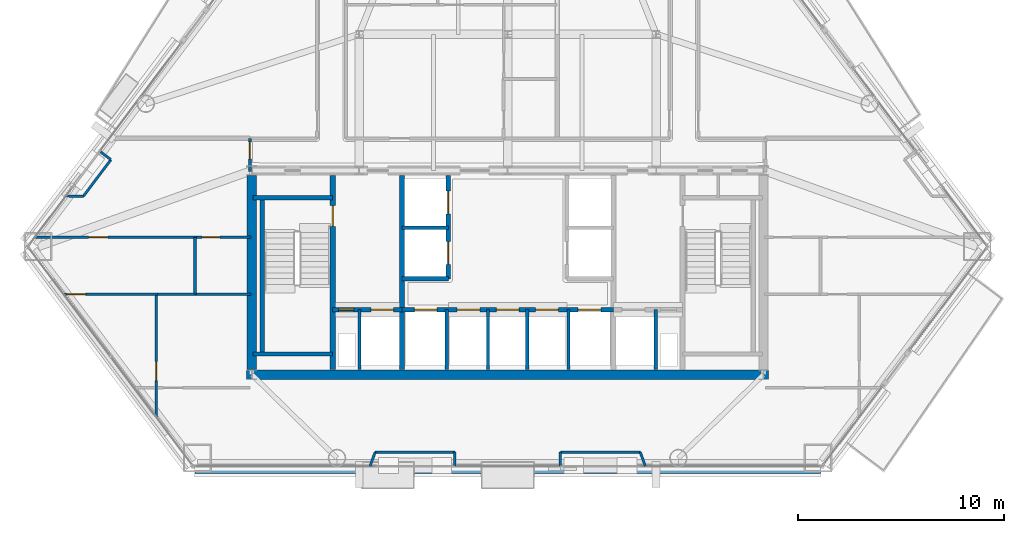
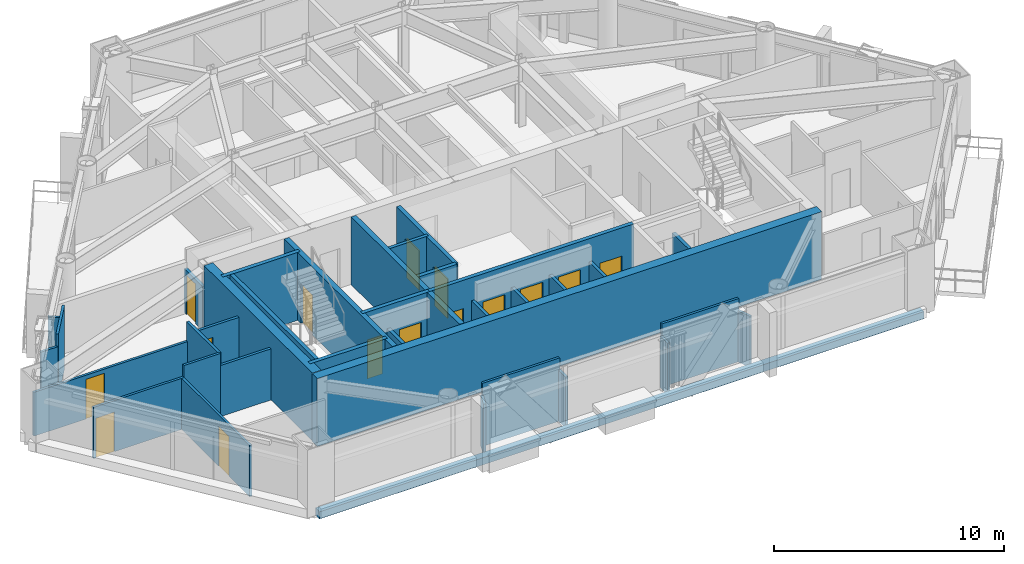
# One storey, part 6 of 11: 36 walls, 15 doors, 15 openings.
"""IFC4 building model written with IfcOpenShell, lengths in metres."""

from ifc_helpers import new_model, si_unit, direction, frame, frame_2d, origin, place, context, subcontext, project, spatial, rectangle, extrude, material, layer, layer_set, type_object, element, fill, save


model = new_model("IFC4")

# Units and contexts
model_context = context("Model", 3, precision=1e-05, world=origin(), true_north=direction((0.0, 1.0)))
body_context = subcontext(model_context, "Body", "Model", "MODEL_VIEW")
ifc_project = project(units=[si_unit("LENGTHUNIT", "METRE"), si_unit("AREAUNIT", "SQUARE_METRE"), si_unit("VOLUMEUNIT", "CUBIC_METRE"), si_unit("PLANEANGLEUNIT", "RADIAN"), si_unit("MASSUNIT", "GRAM", prefix="KILO")], contexts=[model_context])

# Site, building, storey
site_placement = place(None, origin())
site = spatial("IfcSite", under=ifc_project, at=site_placement, CompositionType="ELEMENT")
building_placement = place(site_placement, origin())
building = spatial("IfcBuilding", under=site, at=building_placement, Name="Talgorran Terracotta Tower", CompositionType="ELEMENT")
storey_placement = place(building_placement, frame((0.0, 0.0, 42.300048828125)))
storey = spatial("IfcBuildingStorey", under=building, at=storey_placement, Name="L10", CompositionType="ELEMENT", Elevation=42.300048828125)

# Walls
ifc_material_1 = material(Name="Concrete C50/60", Category="concrete")
ifc_layer_1 = layer(ifc_material_1, 0.199951171875, Name="WT_CORE_200")
ifc_layer_set_1 = layer_set([ifc_layer_1], Name="Concrete C50/60")
wall_type_1 = type_object("IfcWallType", Name="WT_CORE_200", PredefinedType="SOLIDWALL", material=ifc_layer_set_1)
for number, where, z_axis, x_axis, name in (
    (1, (-12.35009765625, -5.52001953125, 0.0), (0.0, 0.0, 1.0), (1.0, 0.0, 0.0), "WL-L10-CW-ST1-N"),
    (2, (-12.35009765625, -13.10009765625, 0.0), (0.0, 0.0, 1.0), (1.0, 0.0, 0.0), "WL-L10-CW-ST1-S"),
):
    element("IfcWall", number, at=place(storey_placement, frame(where, z_axis=z_axis, x_axis=x_axis)), inside=storey, type_object=wall_type_1, Name=name, PredefinedType="SOLIDWALL", context=body_context, shape_type="SweptSolid", body=[
        extrude(rectangle(XDim=3.8701171875, YDim=0.199951171875, at=frame_2d((1.93505859375, 0.0))), origin(), (0.0, 0.0, 1.0), 3.599853515625),
    ])
wall_1_placement = place(storey_placement, frame((-11.89990234375, -13.10009765625, 0.0), z_axis=(0.0, 0.0, 1.0), x_axis=(0.0, 1.0, 0.0)))
element("IfcWall", 3, at=wall_1_placement, inside=storey, type_object=wall_type_1, Name="WL-L10-CW-ST1-W", PredefinedType="SOLIDWALL", context=body_context, shape_type="SweptSolid", body=[
    extrude(rectangle(XDim=7.580078125, YDim=0.199951171875, at=frame_2d((3.7900390625, 0.0))), origin(), (0.0, 0.0, 1.0), 3.599853515625),
])

# Wall, openings, doors
wall_2_placement = place(storey_placement, frame((-8.47998046875, -10.949951171875, 0.0), z_axis=(0.0, 0.0, 1.0), x_axis=(1.0, 0.0, 0.0)))
wall_2 = element("IfcWall", 4, at=wall_2_placement, inside=storey, type_object=wall_type_1, Name="WL-L10-CW-H-SBW", PredefinedType="SOLIDWALL", context=body_context, shape_type="SweptSolid", body=[
    extrude(rectangle(XDim=3.35986328125, YDim=0.199951171875, at=frame_2d((1.679931640625, 0.0))), origin(), (0.0, 0.0, 1.0), 3.599853515625),
])
opening_1_placement = place(wall_2_placement, frame((0.280029296875, 0.0, 0.0)))
opening_1 = element("IfcOpeningElement", 5, at=opening_1_placement, cuts=wall_2, Name="Opening DR-RSW", PredefinedType="OPENING", context=body_context, shape_type="SweptSolid", body=[
    extrude(rectangle(XDim=0.756, YDim=2.054048828125, at=frame_2d((0.375, 1.027099609375))), frame((0.0, 0.10986328125, 0.0), z_axis=(0.0, -1.0, 0.0), x_axis=(1.0, 0.0, 0.0)), (0.0, 0.0, 1.0), 0.219970703125),
])
opening_2_placement = place(wall_2_placement, frame((1.85009765625, 0.0, 0.0)))
opening_2 = element("IfcOpeningElement", 6, at=opening_2_placement, cuts=wall_2, Name="Opening LD-FFL1", PredefinedType="OPENING", context=body_context, shape_type="SweptSolid", body=[
    extrude(rectangle(XDim=1.10609765625, YDim=2.10409765625, at=frame_2d((0.550048828125, 1.052001953125))), frame((0.0, 0.10986328125, 0.0), z_axis=(0.0, -1.0, 0.0), x_axis=(1.0, 0.0, 0.0)), (0.0, 0.0, 1.0), 0.219970703125),
])
ifc_material_2 = material(Name="Brushed Stainless Steel Grade 304", Category="steel")
door_type_1 = type_object("IfcDoorType", Name="DT_LIFT_LD1100", OperationType="DOUBLE_DOOR_SLIDING", PredefinedType="DOOR", material=ifc_material_2)
door_1_placement = place(opening_2_placement, origin())
door_1 = element("IfcDoor", 7, at=door_1_placement, inside=storey, type_object=door_type_1, Name="L10 Lift Landing Door LD-FFL1", OperationType="DOUBLE_DOOR_SLIDING", OverallHeight=2.10009765625, OverallWidth=1.10009765625, PredefinedType="DOOR", context=body_context, shape_type="SweptSolid", body=[
    extrude(rectangle(XDim=1.10009765625, YDim=2.10009765625, at=frame_2d((0.550048828125, 1.050048828125))), frame((0.0, 0.02490234375, 0.0), z_axis=(0.0, -1.0, 0.0), x_axis=(1.0, 0.0, 0.0)), (0.0, 0.0, 1.0), 0.050048828125),
])
fill(opening_2, door_1)
ifc_material_3 = material(Name="Fire-Rated Pressed Steel", Category="steel")
door_type_2 = type_object("IfcDoorType", Name="DT_RISER_750", OperationType="NOTDEFINED", PredefinedType="DOOR", material=ifc_material_3)
door_2_placement = place(opening_1_placement, origin())
door_2 = element("IfcDoor", 8, at=door_2_placement, inside=storey, type_object=door_type_2, Name="DR-RSW", OperationType="SINGLE_SWING_LEFT", OverallHeight=2.050048828125, OverallWidth=0.75, PredefinedType="DOOR", context=body_context, shape_type="SweptSolid", body=[
    extrude(rectangle(XDim=0.75, YDim=2.050048828125, at=frame_2d((0.375, 1.02490234375))), frame((0.0, 0.02490234375, 0.0), z_axis=(0.0, -1.0, 0.0), x_axis=(1.0, 0.0, 0.0)), (0.0, 0.0, 1.0), 0.050048828125),
])
fill(opening_1, door_2)

wall_3_placement = place(storey_placement, frame((-5.1201171875, -10.949951171875, 0.0), z_axis=(0.0, 0.0, 1.0), x_axis=(1.0, 0.0, 0.0)))
wall_3 = element("IfcWall", 9, at=wall_3_placement, inside=storey, type_object=wall_type_1, Name="WL-L10-CW-H-SBC", PredefinedType="SOLIDWALL", context=body_context, shape_type="SweptSolid", body=[
    extrude(rectangle(XDim=10.240234375, YDim=0.199951171875, at=frame_2d((5.1201171875, 0.0))), origin(), (0.0, 0.0, 1.0), 3.599853515625),
])
opening_3_placement = place(wall_3_placement, frame((0.60009765625, 0.0, 0.0)))
opening_3 = element("IfcOpeningElement", 10, at=opening_3_placement, cuts=wall_3, Name="Opening LD-OB1", PredefinedType="OPENING", context=body_context, shape_type="SweptSolid", body=[
    extrude(rectangle(XDim=1.10609765625, YDim=2.10409765625, at=frame_2d((0.550048828125, 1.052001953125))), frame((0.0, 0.10986328125, 0.0), z_axis=(0.0, -1.0, 0.0), x_axis=(1.0, 0.0, 0.0)), (0.0, 0.0, 1.0), 0.219970703125),
])
opening_4_placement = place(wall_3_placement, frame((2.669921875, 0.0, 0.0)))
opening_4 = element("IfcOpeningElement", 11, at=opening_4_placement, cuts=wall_3, Name="Opening LD-PLH1", PredefinedType="OPENING", context=body_context, shape_type="SweptSolid", body=[
    extrude(rectangle(XDim=1.10609765625, YDim=2.10409765625, at=frame_2d((0.550048828125, 1.052001953125))), frame((0.0, 0.10986328125, 0.0), z_axis=(0.0, -1.0, 0.0), x_axis=(1.0, 0.0, 0.0)), (0.0, 0.0, 1.0), 0.219970703125),
])
opening_5_placement = place(wall_3_placement, frame((4.570068359375, 0.0, 0.0)))
opening_5 = element("IfcOpeningElement", 12, at=opening_5_placement, cuts=wall_3, Name="Opening LD-PLH2", PredefinedType="OPENING", context=body_context, shape_type="SweptSolid", body=[
    extrude(rectangle(XDim=1.10609765625, YDim=2.10409765625, at=frame_2d((0.550048828125, 1.052001953125))), frame((0.0, 0.10986328125, 0.0), z_axis=(0.0, -1.0, 0.0), x_axis=(1.0, 0.0, 0.0)), (0.0, 0.0, 1.0), 0.219970703125),
])
opening_6_placement = place(wall_3_placement, frame((6.469970703125, 0.0, 0.0)))
opening_6 = element("IfcOpeningElement", 13, at=opening_6_placement, cuts=wall_3, Name="Opening LD-PLH3", PredefinedType="OPENING", context=body_context, shape_type="SweptSolid", body=[
    extrude(rectangle(XDim=1.10609765625, YDim=2.10409765625, at=frame_2d((0.550048828125, 1.052001953125))), frame((0.0, 0.10986328125, 0.0), z_axis=(0.0, -1.0, 0.0), x_axis=(1.0, 0.0, 0.0)), (0.0, 0.0, 1.0), 0.219970703125),
])
opening_7_placement = place(wall_3_placement, frame((8.5400390625, 0.0, 0.0)))
opening_7 = element("IfcOpeningElement", 14, at=opening_7_placement, cuts=wall_3, Name="Opening LD-SVL1", PredefinedType="OPENING", context=body_context, shape_type="SweptSolid", body=[
    extrude(rectangle(XDim=1.10609765625, YDim=2.10409765625, at=frame_2d((0.550048828125, 1.052001953125))), frame((0.0, 0.10986328125, 0.0), z_axis=(0.0, -1.0, 0.0), x_axis=(1.0, 0.0, 0.0)), (0.0, 0.0, 1.0), 0.219970703125),
])
door_3_placement = place(opening_3_placement, origin())
door_3 = element("IfcDoor", 15, at=door_3_placement, inside=storey, type_object=door_type_1, Name="L10 Lift Landing Door LD-OB1", OperationType="DOUBLE_DOOR_SLIDING", OverallHeight=2.10009765625, OverallWidth=1.10009765625, PredefinedType="DOOR", context=body_context, shape_type="SweptSolid", body=[
    extrude(rectangle(XDim=1.10009765625, YDim=2.10009765625, at=frame_2d((0.550048828125, 1.050048828125))), frame((0.0, 0.02490234375, 0.0), z_axis=(0.0, -1.0, 0.0), x_axis=(1.0, 0.0, 0.0)), (0.0, 0.0, 1.0), 0.050048828125),
])
fill(opening_3, door_3)
door_4_placement = place(opening_4_placement, origin())
door_4 = element("IfcDoor", 16, at=door_4_placement, inside=storey, type_object=door_type_1, Name="L10 Lift Landing Door LD-PLH1", OperationType="DOUBLE_DOOR_SLIDING", OverallHeight=2.10009765625, OverallWidth=1.10009765625, PredefinedType="DOOR", context=body_context, shape_type="SweptSolid", body=[
    extrude(rectangle(XDim=1.10009765625, YDim=2.10009765625, at=frame_2d((0.550048828125, 1.050048828125))), frame((0.0, 0.02490234375, 0.0), z_axis=(0.0, -1.0, 0.0), x_axis=(1.0, 0.0, 0.0)), (0.0, 0.0, 1.0), 0.050048828125),
])
fill(opening_4, door_4)
door_5_placement = place(opening_5_placement, origin())
door_5 = element("IfcDoor", 17, at=door_5_placement, inside=storey, type_object=door_type_1, Name="L10 Lift Landing Door LD-PLH2", OperationType="DOUBLE_DOOR_SLIDING", OverallHeight=2.10009765625, OverallWidth=1.10009765625, PredefinedType="DOOR", context=body_context, shape_type="SweptSolid", body=[
    extrude(rectangle(XDim=1.10009765625, YDim=2.10009765625, at=frame_2d((0.550048828125, 1.050048828125))), frame((0.0, 0.02490234375, 0.0), z_axis=(0.0, -1.0, 0.0), x_axis=(1.0, 0.0, 0.0)), (0.0, 0.0, 1.0), 0.050048828125),
])
fill(opening_5, door_5)
door_6_placement = place(opening_6_placement, origin())
door_6 = element("IfcDoor", 18, at=door_6_placement, inside=storey, type_object=door_type_1, Name="L10 Lift Landing Door LD-PLH3", OperationType="DOUBLE_DOOR_SLIDING", OverallHeight=2.10009765625, OverallWidth=1.10009765625, PredefinedType="DOOR", context=body_context, shape_type="SweptSolid", body=[
    extrude(rectangle(XDim=1.10009765625, YDim=2.10009765625, at=frame_2d((0.550048828125, 1.050048828125))), frame((0.0, 0.02490234375, 0.0), z_axis=(0.0, -1.0, 0.0), x_axis=(1.0, 0.0, 0.0)), (0.0, 0.0, 1.0), 0.050048828125),
])
fill(opening_6, door_6)
door_7_placement = place(opening_7_placement, origin())
door_7 = element("IfcDoor", 19, at=door_7_placement, inside=storey, type_object=door_type_1, Name="L10 Lift Landing Door LD-SVL1", OperationType="DOUBLE_DOOR_SLIDING", OverallHeight=2.10009765625, OverallWidth=1.10009765625, PredefinedType="DOOR", context=body_context, shape_type="SweptSolid", body=[
    extrude(rectangle(XDim=1.10009765625, YDim=2.10009765625, at=frame_2d((0.550048828125, 1.050048828125))), frame((0.0, 0.02490234375, 0.0), z_axis=(0.0, -1.0, 0.0), x_axis=(1.0, 0.0, 0.0)), (0.0, 0.0, 1.0), 0.050048828125),
])
fill(opening_7, door_7)

wall_4_placement = place(storey_placement, frame((-2.8798828125, -9.449951171875, 0.0), z_axis=(0.0, 0.0, 1.0), x_axis=(0.0, 1.0, 0.0)))
wall_4 = element("IfcWall", 20, at=wall_4_placement, inside=storey, type_object=wall_type_1, Name="WL-L10-CW-V-W3", PredefinedType="SOLIDWALL", context=body_context, shape_type="SweptSolid", body=[
    extrude(rectangle(XDim=5.0, YDim=0.199951171875, at=frame_2d((2.5, 0.0))), origin(), (0.0, 0.0, 1.0), 3.349853515625),
])
opening_8_placement = place(wall_4_placement, frame((0.699951171875, 0.0, 0.0)))
opening_8 = element("IfcOpeningElement", 21, at=opening_8_placement, cuts=wall_4, Name="Opening LD-PLL1", PredefinedType="OPENING", context=body_context, shape_type="SweptSolid", body=[
    extrude(rectangle(XDim=1.10609765625, YDim=2.10409765625, at=frame_2d((0.550048828125, 1.052001953125))), frame((0.0, 0.10986328125, 0.0), z_axis=(0.0, -1.0, 0.0), x_axis=(1.0, 0.0, 0.0)), (0.0, 0.0, 1.0), 0.219970703125),
])
opening_9_placement = place(wall_4_placement, frame((3.14990234375, 0.0, 0.0)))
opening_9 = element("IfcOpeningElement", 22, at=opening_9_placement, cuts=wall_4, Name="Opening LD-PLL2", PredefinedType="OPENING", context=body_context, shape_type="SweptSolid", body=[
    extrude(rectangle(XDim=1.10609765625, YDim=2.10409765625, at=frame_2d((0.550048828125, 1.052001953125))), frame((0.0, 0.10986328125, 0.0), z_axis=(0.0, -1.0, 0.0), x_axis=(1.0, 0.0, 0.0)), (0.0, 0.0, 1.0), 0.219970703125),
])
door_8_placement = place(opening_8_placement, origin())
door_8 = element("IfcDoor", 23, at=door_8_placement, inside=storey, type_object=door_type_1, Name="L10 Lift Landing Door LD-PLL1", OperationType="DOUBLE_DOOR_SLIDING", OverallHeight=2.10009765625, OverallWidth=1.10009765625, PredefinedType="DOOR", context=body_context, shape_type="SweptSolid", body=[
    extrude(rectangle(XDim=1.10009765625, YDim=2.10009765625, at=frame_2d((0.550048828125, 1.050048828125))), frame((0.0, 0.02490234375, 0.0), z_axis=(0.0, -1.0, 0.0), x_axis=(1.0, 0.0, 0.0)), (0.0, 0.0, 1.0), 0.050048828125),
])
fill(opening_8, door_8)
door_9_placement = place(opening_9_placement, origin())
door_9 = element("IfcDoor", 24, at=door_9_placement, inside=storey, type_object=door_type_1, Name="L10 Lift Landing Door LD-PLL2", OperationType="DOUBLE_DOOR_SLIDING", OverallHeight=2.10009765625, OverallWidth=1.10009765625, PredefinedType="DOOR", context=body_context, shape_type="SweptSolid", body=[
    extrude(rectangle(XDim=1.10009765625, YDim=2.10009765625, at=frame_2d((0.550048828125, 1.050048828125))), frame((0.0, 0.02490234375, 0.0), z_axis=(0.0, -1.0, 0.0), x_axis=(1.0, 0.0, 0.0)), (0.0, 0.0, 1.0), 0.050048828125),
])
fill(opening_9, door_9)

# Wall
wall_5_placement = place(storey_placement, frame((-5.1201171875, -9.449951171875, 0.0), z_axis=(0.0, 0.0, 1.0), x_axis=(1.0, 0.0, 0.0)))
element("IfcWall", 25, at=wall_5_placement, inside=storey, type_object=wall_type_1, Name="WL-L10-CW-H-W4", PredefinedType="SOLIDWALL", context=body_context, shape_type="SweptSolid", body=[
    extrude(rectangle(XDim=2.240234375, YDim=0.199951171875, at=frame_2d((1.1201171875, 0.0))), origin(), (0.0, 0.0, 1.0), 3.349853515625),
])

# Wall, opening, door
ifc_layer_2 = layer(ifc_material_1, 0.25, Name="WT_CORE_250")
ifc_layer_set_2 = layer_set([ifc_layer_2], Name="Concrete C50/60")
wall_type_2 = type_object("IfcWallType", Name="WT_CORE_250", PredefinedType="SHEAR", material=ifc_layer_set_2)
wall_6_placement = place(storey_placement, frame((-8.47998046875, -13.85009765625, 0.0), z_axis=(0.0, 0.0, 1.0), x_axis=(0.0, 1.0, 0.0)))
wall_6 = element("IfcWall", 26, at=wall_6_placement, inside=storey, type_object=wall_type_2, Name="WL-L10-CW-V-W1", PredefinedType="SHEAR", context=body_context, shape_type="SweptSolid", body=[
    extrude(rectangle(XDim=9.400146484375, YDim=0.25, at=frame_2d((4.7001953125, 0.0))), origin(), (0.0, 0.0, 1.0), 3.599853515625),
])
opening_10_placement = place(wall_6_placement, frame((6.949951171875, 0.0, 0.0)))
opening_10 = element("IfcOpeningElement", 27, at=opening_10_placement, cuts=wall_6, Name="Opening DR-ST01", PredefinedType="OPENING", context=body_context, shape_type="SweptSolid", body=[
    extrude(rectangle(XDim=1.006, YDim=2.10409765625, at=frame_2d((0.5, 1.052001953125))), frame((0.0, 0.135009765625, 0.0), z_axis=(0.0, -1.0, 0.0), x_axis=(1.0, 0.0, 0.0)), (0.0, 0.0, 1.0), 0.27001953125),
])
door_type_3 = type_object("IfcDoorType", Name="DT_FIRE_1000", OperationType="NOTDEFINED", PredefinedType="DOOR", material=ifc_material_3)
door_10_placement = place(opening_10_placement, origin())
door_10 = element("IfcDoor", 28, at=door_10_placement, inside=storey, type_object=door_type_3, Name="DR-ST01", OperationType="SINGLE_SWING_LEFT", OverallHeight=2.10009765625, OverallWidth=1.0, PredefinedType="DOOR", context=body_context, shape_type="SweptSolid", body=[
    extrude(rectangle(XDim=1.0, YDim=2.10009765625, at=frame_2d((0.5, 1.050048828125))), frame((0.0, 0.02490234375, 0.0), z_axis=(0.0, -1.0, 0.0), x_axis=(1.0, 0.0, 0.0)), (0.0, 0.0, 1.0), 0.050048828125),
])
fill(opening_10, door_10)

# Walls
wall_7_placement = place(storey_placement, frame((-5.1201171875, -13.85009765625, 0.0), z_axis=(0.0, 0.0, 1.0), x_axis=(0.0, 1.0, 0.0)))
element("IfcWall", 29, at=wall_7_placement, inside=storey, type_object=wall_type_2, Name="WL-L10-CW-V-W2", PredefinedType="SHEAR", context=body_context, shape_type="SweptSolid", body=[
    extrude(rectangle(XDim=9.400146484375, YDim=0.25, at=frame_2d((4.7001953125, 0.0))), origin(), (0.0, 0.0, 1.0), 3.599853515625),
])
ifc_material_4 = material(Name="Concrete C65/80", Category="concrete")
ifc_layer_3 = layer(ifc_material_4, 0.449951171875, Name="WT_CORE_EXT")
ifc_layer_set_3 = layer_set([ifc_layer_3], Name="Concrete C65/80")
wall_type_3 = type_object("IfcWallType", Name="WT_CORE_EXT", PredefinedType="SHEAR", material=ifc_layer_set_3)
wall_8_placement = place(storey_placement, frame((-12.64990234375, -14.10009765625, 0.0), z_axis=(0.0, 0.0, 1.0), x_axis=(1.0, 0.0, 0.0)))
element("IfcWall", 30, at=wall_8_placement, inside=storey, type_object=wall_type_3, Name="WL-L10-CW-OUT-S", PredefinedType="SHEAR", context=body_context, shape_type="SweptSolid", body=[
    extrude(rectangle(XDim=25.2998046875, YDim=0.449951171875, at=frame_2d((12.64990234375, 0.0))), origin(), (0.0, 0.0, 1.0), 3.599853515625),
])
wall_9_placement = place(storey_placement, frame((-12.39990234375, -13.85009765625, 0.0), z_axis=(0.0, 0.0, 1.0), x_axis=(0.0, 1.0, 0.0)))
element("IfcWall", 31, at=wall_9_placement, inside=storey, type_object=wall_type_3, Name="WL-L10-CW-OUT-W", PredefinedType="SHEAR", context=body_context, shape_type="SweptSolid", body=[
    extrude(rectangle(XDim=9.400146484375, YDim=0.449951171875, at=frame_2d((4.7001953125, 0.0))), origin(), (0.0, 0.0, 1.0), 3.599853515625),
])

# Wall, opening, door
ifc_material_5 = material(Name="Fire-Rated Steel Stud Plasterboard", Category="steel")
ifc_layer_4 = layer(ifc_material_5, 0.14990234375, Name="WT_FIRE_150")
ifc_layer_set_4 = layer_set([ifc_layer_4], Name="Fire-Rated Steel Stud Plasterboard")
wall_type_4 = type_object("IfcWallType", Name="WT_FIRE_150", PredefinedType="PARTITIONING", material=ifc_layer_set_4)
wall_10_placement = place(storey_placement, frame((-12.5, -4.239990234375, 0.0), z_axis=(0.0, 0.0, 1.0), x_axis=(0.0, 1.0, 0.0)))
wall_10 = element("IfcWall", 32, at=wall_10_placement, inside=storey, type_object=wall_type_4, Name="WL-L10-W-L10-R01", PredefinedType="PARTITIONING", context=body_context, shape_type="SweptSolid", body=[
    extrude(rectangle(XDim=1.60009765625, YDim=0.14990234375, at=frame_2d((0.800048828125, 0.0))), origin(), (0.0, 0.0, 1.0), 2.324951171875),
])
opening_11_placement = place(wall_10_placement, frame((0.602294921875, 0.0, 0.0)))
opening_11 = element("IfcOpeningElement", 33, at=opening_11_placement, cuts=wall_10, Name="Opening DR-L10-R01", PredefinedType="OPENING", context=body_context, shape_type="SweptSolid", body=[
    extrude(rectangle(XDim=0.826068359375, YDim=2.10409765625, at=frame_2d((0.41015625, 1.052001953125))), frame((0.0, 0.0849609375, 0.0), z_axis=(0.0, -1.0, 0.0), x_axis=(1.0, 0.0, 0.0)), (0.0, 0.0, 1.0), 0.169921875),
])
ifc_material_6 = material(Name="Moisture-Resistant Solid Timber", Category="wood")
door_type_4 = type_object("IfcDoorType", Name="DT_INT_820", OperationType="NOTDEFINED", PredefinedType="DOOR", material=ifc_material_6)
door_11_placement = place(opening_11_placement, origin())
door_11 = element("IfcDoor", 34, at=door_11_placement, inside=storey, type_object=door_type_4, Name="DR-L10-R01", OperationType="SINGLE_SWING_LEFT", OverallHeight=2.10009765625, OverallWidth=0.820068359375, PredefinedType="DOOR", context=body_context, shape_type="SweptSolid", body=[
    extrude(rectangle(XDim=0.820068359375, YDim=2.10009765625, at=frame_2d((0.41015625, 1.050048828125))), frame((0.0, 0.02490234375, 0.0), z_axis=(0.0, -1.0, 0.0), x_axis=(1.0, 0.0, 0.0)), (0.0, 0.0, 1.0), 0.050048828125),
])
fill(opening_11, door_11)

# Wall
ifc_material_7 = material(Name="Concrete C40/50", Category="concrete")
ifc_layer_5 = layer(ifc_material_7, 0.219970703125, Name="WT_PARAPET_RC")
ifc_layer_set_5 = layer_set([ifc_layer_5], Name="Concrete C40/50")
wall_type_5 = type_object("IfcWallType", Name="WT_PARAPET_RC", PredefinedType="PARAPET", material=ifc_layer_set_5)
wall_11_placement = place(storey_placement, frame((-15.163330078125, -18.695556640625, -0.199951171875), z_axis=(0.0, 0.0, 1.0), x_axis=(1.0, 0.0, 0.0)))
element("IfcWall", 35, at=wall_11_placement, inside=storey, type_object=wall_type_5, Name="L10 Striped Portal Precast Cornice F1", PredefinedType="PARAPET", context=body_context, shape_type="SweptSolid", body=[
    extrude(rectangle(XDim=30.32666015625, YDim=0.360107421875, at=frame_2d((15.163330078125, 0.0))), origin(), (0.0, 0.0, 1.0), 0.3798828125),
])

# Wall, opening, door
ifc_material_8 = material(Name="Insulated Steel Stud Plasterboard", Category="steel")
ifc_layer_6 = layer(ifc_material_8, 0.1201171875, Name="WT_PART_120")
ifc_layer_set_6 = layer_set([ifc_layer_6], Name="Insulated Steel Stud Plasterboard")
wall_type_6 = type_object("IfcWallType", Name="WT_PART_120", PredefinedType="PARTITIONING", material=ifc_layer_set_6)
wall_12_placement = place(storey_placement, frame((-22.919189453125, -7.43994140625, 0.0), z_axis=(0.0, 0.0, 1.0), x_axis=(1.0, 0.0, 0.0)))
wall_12 = element("IfcWall", 36, at=wall_12_placement, inside=storey, type_object=wall_type_6, Name="WL-L10-W-L10-R19", PredefinedType="PARTITIONING", context=body_context, shape_type="SweptSolid", body=[
    extrude(rectangle(XDim=7.839111328125, YDim=0.1201171875, at=frame_2d((3.91943359375, 0.0))), origin(), (0.0, 0.0, 1.0), 2.324951171875),
])
opening_12_placement = place(wall_12_placement, frame((2.6123046875, 0.0, 0.0)))
opening_12 = element("IfcOpeningElement", 37, at=opening_12_placement, cuts=wall_12, Name="Opening DR-L10-R03", PredefinedType="OPENING", context=body_context, shape_type="SweptSolid", body=[
    extrude(rectangle(XDim=0.925921875, YDim=2.10409765625, at=frame_2d((0.4599609375, 1.052001953125))), frame((0.0, 0.070068359375, 0.0), z_axis=(0.0, -1.0, 0.0), x_axis=(1.0, 0.0, 0.0)), (0.0, 0.0, 1.0), 0.14013671875),
])
ifc_material_9 = material(Name="Solid-Core Painted Timber", Category="wood")
door_type_5 = type_object("IfcDoorType", Name="DT_INT_920", OperationType="NOTDEFINED", PredefinedType="DOOR", material=ifc_material_9)
door_12_placement = place(opening_12_placement, origin())
door_12 = element("IfcDoor", 38, at=door_12_placement, inside=storey, type_object=door_type_5, Name="DR-L10-R03", OperationType="SINGLE_SWING_LEFT", OverallHeight=2.10009765625, OverallWidth=0.919921875, PredefinedType="DOOR", context=body_context, shape_type="SweptSolid", body=[
    extrude(rectangle(XDim=0.919921875, YDim=2.10009765625, at=frame_2d((0.4599609375, 1.050048828125))), frame((0.0, 0.02490234375, 0.0), z_axis=(0.0, -1.0, 0.0), x_axis=(1.0, 0.0, 0.0)), (0.0, 0.0, 1.0), 0.050048828125),
])
fill(opening_12, door_12)

wall_13_placement = place(storey_placement, frame((-17.0400390625, -16.150390625, 0.0), z_axis=(0.0, 0.0, 1.0), x_axis=(0.0, 1.0, 0.0)))
wall_13 = element("IfcWall", 39, at=wall_13_placement, inside=storey, type_object=wall_type_6, Name="WL-L10-W-L10-R25", PredefinedType="PARTITIONING", context=body_context, shape_type="SweptSolid", body=[
    extrude(rectangle(XDim=5.950439453125, YDim=0.1201171875, at=frame_2d((2.97509765625, 0.0))), origin(), (0.0, 0.0, 1.0), 2.71337890625),
])
opening_13_placement = place(wall_13_placement, frame((1.768798828125, 0.0, 0.0)))
opening_13 = element("IfcOpeningElement", 40, at=opening_13_placement, cuts=wall_13, Name="Opening DR-L10-R22", PredefinedType="OPENING", context=body_context, shape_type="SweptSolid", body=[
    extrude(rectangle(XDim=0.925921875, YDim=2.10409765625, at=frame_2d((0.4599609375, 1.052001953125))), frame((0.0, 0.070068359375, 0.0), z_axis=(0.0, -1.0, 0.0), x_axis=(1.0, 0.0, 0.0)), (0.0, 0.0, 1.0), 0.14013671875),
])
door_13_placement = place(opening_13_placement, origin())
door_13 = element("IfcDoor", 41, at=door_13_placement, inside=storey, type_object=door_type_5, Name="DR-L10-R22", OperationType="SINGLE_SWING_RIGHT", OverallHeight=2.10009765625, OverallWidth=0.919921875, PredefinedType="DOOR", context=body_context, shape_type="SweptSolid", body=[
    extrude(rectangle(XDim=0.919921875, YDim=2.10009765625, at=frame_2d((0.4599609375, 1.050048828125))), frame((0.0, 0.02490234375, 0.0), z_axis=(0.0, -1.0, 0.0), x_axis=(1.0, 0.0, 0.0)), (0.0, 0.0, 1.0), 0.050048828125),
])
fill(opening_13, door_13)

wall_14_placement = place(storey_placement, frame((-21.521728515625, -10.199951171875, 0.0), z_axis=(0.0, 0.0, 1.0), x_axis=(1.0, 0.0, 0.0)))
wall_14 = element("IfcWall", 42, at=wall_14_placement, inside=storey, type_object=wall_type_6, Name="WL-L10-W-L10-R23", PredefinedType="PARTITIONING", context=body_context, shape_type="SweptSolid", body=[
    extrude(rectangle(XDim=4.541748046875, YDim=0.1201171875, at=frame_2d((2.27099609375, 0.0))), origin(), (0.0, 0.0, 1.0), 2.71337890625),
])
opening_14_placement = place(wall_14_placement, frame((0.1396484375, 0.0, 0.0)))
opening_14 = element("IfcOpeningElement", 43, at=opening_14_placement, cuts=wall_14, Name="Opening DR-L10-R04", PredefinedType="OPENING", context=body_context, shape_type="SweptSolid", body=[
    extrude(rectangle(XDim=0.925921875, YDim=2.10409765625, at=frame_2d((0.4599609375, 1.052001953125))), frame((0.0, 0.070068359375, 0.0), z_axis=(0.0, -1.0, 0.0), x_axis=(1.0, 0.0, 0.0)), (0.0, 0.0, 1.0), 0.14013671875),
])
door_14_placement = place(opening_14_placement, origin())
door_14 = element("IfcDoor", 44, at=door_14_placement, inside=storey, type_object=door_type_5, Name="DR-L10-R04", OperationType="SINGLE_SWING_RIGHT", OverallHeight=2.10009765625, OverallWidth=0.919921875, PredefinedType="DOOR", context=body_context, shape_type="SweptSolid", body=[
    extrude(rectangle(XDim=0.919921875, YDim=2.10009765625, at=frame_2d((0.4599609375, 1.050048828125))), frame((0.0, 0.02490234375, 0.0), z_axis=(0.0, -1.0, 0.0), x_axis=(1.0, 0.0, 0.0)), (0.0, 0.0, 1.0), 0.050048828125),
])
fill(opening_14, door_14)

# Walls
for number, where, z_axis, x_axis, name in (
    (45, (-6.4248046875, -17.855712890625, 0.0), (0.0, 0.0, 1.0), (1.0, 0.0, 0.0), "WL-L10-BW-L10-01"),
    (46, (2.556884765625, -17.855712890625, 0.0), (0.0, 0.0, 1.0), (1.0, 0.0, 0.0), "WL-L10-BW-L10-06"),
):
    element("IfcWall", number, at=place(storey_placement, frame(where, z_axis=z_axis, x_axis=x_axis)), inside=storey, type_object=wall_type_6, Name=name, PredefinedType="PARTITIONING", context=body_context, shape_type="SweptSolid", body=[
        extrude(rectangle(XDim=3.867919921875, YDim=0.1201171875, at=frame_2d((1.93408203125, 0.0))), origin(), (0.0, 0.0, 1.0), 3.349853515625),
    ])
wall_15_placement = place(storey_placement, frame((-19.231201171875, -3.674072265625, 0.0), z_axis=(0.0, 0.0, 1.0), x_axis=(-0.60167490335, -0.798741078622, 0.0)))
element("IfcWall", 47, at=wall_15_placement, inside=storey, type_object=wall_type_6, Name="WL-L10-BW-L10-08", PredefinedType="PARTITIONING", context=body_context, shape_type="SweptSolid", body=[
    extrude(rectangle(XDim=2.2138671875, YDim=0.1201171875, at=frame_2d((1.10693359375, 0.0))), origin(), (0.0, 0.0, 1.0), 3.349853515625),
])
wall_16_placement = place(storey_placement, frame((-16.97802734375, -10.199951171875, 0.0), z_axis=(0.0, 0.0, 1.0), x_axis=(1.0, 0.0, 0.0)))
element("IfcWall", 48, at=wall_16_placement, inside=storey, type_object=wall_type_6, Name="WL-L10-W-L10-R24", PredefinedType="PARTITIONING", context=body_context, shape_type="SweptSolid", body=[
    extrude(rectangle(XDim=1.818115234375, YDim=0.1201171875, at=frame_2d((0.9091796875, 0.0))), origin(), (0.0, 0.0, 1.0), 3.349853515625),
])
wall_17_placement = place(storey_placement, frame((-20.563232421875, -5.4423828125, 0.0), z_axis=(0.0, 0.0, 1.0), x_axis=(-0.999971035762, 0.007611020764, 0.0)))
element("IfcWall", 49, at=wall_17_placement, inside=storey, type_object=wall_type_6, Name="WL-L10-BW-L10-09", PredefinedType="PARTITIONING", context=body_context, shape_type="SweptSolid", body=[
    extrude(rectangle(XDim=0.833984375, YDim=0.1201171875, at=frame_2d((0.4169921875, 0.0))), origin(), (0.0, 0.0, 1.0), 2.71337890625),
])
for number, where, z_axis, x_axis, name in (
    (50, (-6.670654296875, -18.525634765625, 0.0), (0.0, 0.0, 1.0), (0.344516001637, 0.938780445374, 0.0), "WL-L10-BW-L10-03"),
    (51, (6.4248046875, -17.855712890625, 0.0), (0.0, 0.0, 1.0), (0.344516001637, -0.938780445374, 0.0), "WL-L10-BW-L10-04"),
):
    element("IfcWall", number, at=place(storey_placement, frame(where, z_axis=z_axis, x_axis=x_axis)), inside=storey, type_object=wall_type_6, Name=name, PredefinedType="PARTITIONING", context=body_context, shape_type="SweptSolid", body=[
        extrude(rectangle(XDim=0.713623046875, YDim=0.1201171875, at=frame_2d((0.35693359375, 0.0))), origin(), (0.0, 0.0, 1.0), 2.71337890625),
    ])
for number, where, z_axis, x_axis, name in (
    (52, (-2.556884765625, -17.855712890625, 0.0), (0.0, 0.0, 1.0), (0.0, -1.0, 0.0), "WL-L10-BW-L10-02"),
    (53, (2.556884765625, -18.525634765625, 0.0), (0.0, 0.0, 1.0), (0.0, 1.0, 0.0), "WL-L10-BW-L10-05"),
):
    element("IfcWall", number, at=place(storey_placement, frame(where, z_axis=z_axis, x_axis=x_axis)), inside=storey, type_object=wall_type_6, Name=name, PredefinedType="PARTITIONING", context=body_context, shape_type="SweptSolid", body=[
        extrude(rectangle(XDim=0.669921875, YDim=0.1201171875, at=frame_2d((0.3349609375, 0.0))), origin(), (0.0, 0.0, 1.0), 2.71337890625),
    ])
wall_18_placement = place(storey_placement, frame((-19.7666015625, -3.27099609375, 0.0), z_axis=(0.0, 0.0, 1.0), x_axis=(0.798905778506, -0.601456197133, 0.0)))
element("IfcWall", 54, at=wall_18_placement, inside=storey, type_object=wall_type_6, Name="WL-L10-BW-L10-07", PredefinedType="PARTITIONING", context=body_context, shape_type="SweptSolid", body=[
    extrude(rectangle(XDim=0.670166015625, YDim=0.1201171875, at=frame_2d((0.3349609375, 0.0))), origin(), (0.0, 0.0, 1.0), 2.71337890625),
])

# Wall, opening, door
ifc_material_10 = material(Name="Moisture-Resistant Stud Wall")
ifc_layer_7 = layer(ifc_material_10, 0.135009765625, Name="WT_PART_135")
ifc_layer_set_7 = layer_set([ifc_layer_7], Name="Moisture-Resistant Stud Wall")
wall_type_7 = type_object("IfcWallType", Name="WT_PART_135", PredefinedType="PARTITIONING", material=ifc_layer_set_7)
wall_19_placement = place(storey_placement, frame((-15.077880859375, -7.43994140625, 0.0), z_axis=(0.0, 0.0, 1.0), x_axis=(1.0, 0.0, 0.0)))
wall_19 = element("IfcWall", 55, at=wall_19_placement, inside=storey, type_object=wall_type_7, Name="WL-L10-W-L10-R18", PredefinedType="PARTITIONING", context=body_context, shape_type="SweptSolid", body=[
    extrude(rectangle(XDim=2.637939453125, YDim=0.135009765625, at=frame_2d((1.31884765625, 0.0))), origin(), (0.0, 0.0, 1.0), 2.71337890625),
])
opening_15_placement = place(wall_19_placement, frame((0.272216796875, 0.0, 0.0)))
opening_15 = element("IfcOpeningElement", 56, at=opening_15_placement, cuts=wall_19, Name="Opening DR-L10-R02", PredefinedType="OPENING", context=body_context, shape_type="SweptSolid", body=[
    extrude(rectangle(XDim=0.85609765625, YDim=2.10409765625, at=frame_2d((0.425048828125, 1.052001953125))), frame((0.0, 0.07763671875, 0.0), z_axis=(0.0, -1.0, 0.0), x_axis=(1.0, 0.0, 0.0)), (0.0, 0.0, 1.0), 0.155029296875),
])
door_type_6 = type_object("IfcDoorType", Name="DT_INT_850", OperationType="NOTDEFINED", PredefinedType="DOOR", material=ifc_material_6)
door_15_placement = place(opening_15_placement, origin())
door_15 = element("IfcDoor", 57, at=door_15_placement, inside=storey, type_object=door_type_6, Name="DR-L10-R02", OperationType="SINGLE_SWING_RIGHT", OverallHeight=2.10009765625, OverallWidth=0.85009765625, PredefinedType="DOOR", context=body_context, shape_type="SweptSolid", body=[
    extrude(rectangle(XDim=0.85009765625, YDim=2.10009765625, at=frame_2d((0.425048828125, 1.050048828125))), frame((0.0, 0.02490234375, 0.0), z_axis=(0.0, -1.0, 0.0), x_axis=(1.0, 0.0, 0.0)), (0.0, 0.0, 1.0), 0.050048828125),
])
fill(opening_15, door_15)

# Walls
wall_20_placement = place(storey_placement, frame((-15.159912109375, -10.199951171875, 0.0), z_axis=(0.0, 0.0, 1.0), x_axis=(0.0, 1.0, 0.0)))
element("IfcWall", 58, at=wall_20_placement, inside=storey, type_object=wall_type_7, Name="WL-L10-W-L10-R21", PredefinedType="PARTITIONING", context=body_context, shape_type="SweptSolid", body=[
    extrude(rectangle(XDim=2.760009765625, YDim=0.135009765625, at=frame_2d((1.3798828125, 0.0))), origin(), (0.0, 0.0, 1.0), 3.349853515625),
])
wall_21_placement = place(storey_placement, frame((-15.159912109375, -10.199951171875, 0.0), z_axis=(0.0, 0.0, 1.0), x_axis=(1.0, 0.0, 0.0)))
element("IfcWall", 59, at=wall_21_placement, inside=storey, type_object=wall_type_7, Name="WL-L10-W-L10-R22", PredefinedType="PARTITIONING", context=body_context, shape_type="SweptSolid", body=[
    extrude(rectangle(XDim=2.719970703125, YDim=0.135009765625, at=frame_2d((1.35986328125, 0.0))), origin(), (0.0, 0.0, 1.0), 2.71337890625),
])
ifc_material_11 = material(Name="Fire-Rated Shaftwall")
ifc_layer_8 = layer(ifc_material_11, 0.159912109375, Name="WT_PART_150")
ifc_layer_set_8 = layer_set([ifc_layer_8], Name="Fire-Rated Shaftwall")
wall_type_8 = type_object("IfcWallType", Name="WT_PART_150", PredefinedType="PARTITIONING", material=ifc_layer_set_8)
wall_22_placement = place(storey_placement, frame((-5.1201171875, -6.97998046875, 0.0), z_axis=(0.0, 0.0, 1.0), x_axis=(1.0, 0.0, 0.0)))
element("IfcWall", 60, at=wall_22_placement, inside=storey, type_object=wall_type_8, Name="WL-L10-CW-PLL-DIV", PredefinedType="PARTITIONING", context=body_context, shape_type="SweptSolid", body=[
    extrude(rectangle(XDim=2.240234375, YDim=0.159912109375, at=frame_2d((1.1201171875, 0.0))), origin(), (0.0, 0.0, 1.0), 3.349853515625),
])
for number, where, z_axis, x_axis, name in (
    (61, (-7.179931640625, -13.85009765625, 0.0), (0.0, 0.0, 1.0), (0.0, 1.0, 0.0), "WL-L10-CW-RSW"),
    (62, (7.179931640625, -13.85009765625, 0.0), (0.0, 0.0, 1.0), (0.0, 1.0, 0.0), "WL-L10-CW-RSE"),
    (63, (-2.949951171875, -13.85009765625, 0.0), (0.0, 0.0, 1.0), (0.0, 1.0, 0.0), "WL-L10-CW-OB-E"),
    (64, (2.949951171875, -13.85009765625, 0.0), (0.0, 0.0, 1.0), (0.0, 1.0, 0.0), "WL-L10-CW-SV-W"),
    (65, (-0.949951171875, -13.85009765625, 0.0), (0.0, 0.0, 1.0), (0.0, 1.0, 0.0), "WL-L10-CW-PLH-D1"),
    (66, (0.949951171875, -13.85009765625, 0.0), (0.0, 0.0, 1.0), (0.0, 1.0, 0.0), "WL-L10-CW-PLH-D2"),
):
    element("IfcWall", number, at=place(storey_placement, frame(where, z_axis=z_axis, x_axis=x_axis)), inside=storey, type_object=wall_type_8, Name=name, PredefinedType="PARTITIONING", context=body_context, shape_type="SweptSolid", body=[
        extrude(rectangle(XDim=2.900146484375, YDim=0.159912109375, at=frame_2d((1.4501953125, 0.0))), origin(), (0.0, 0.0, 1.0), 2.375),
    ])

save(model, "model.ifc")
